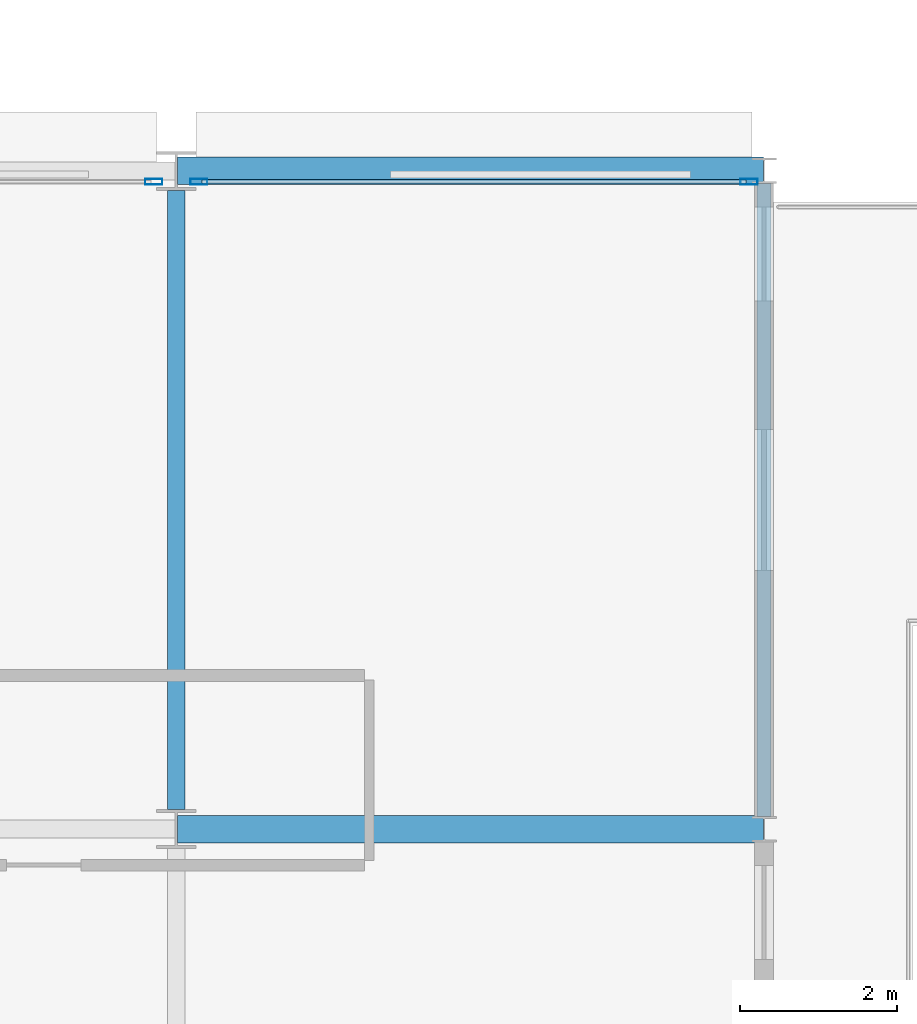
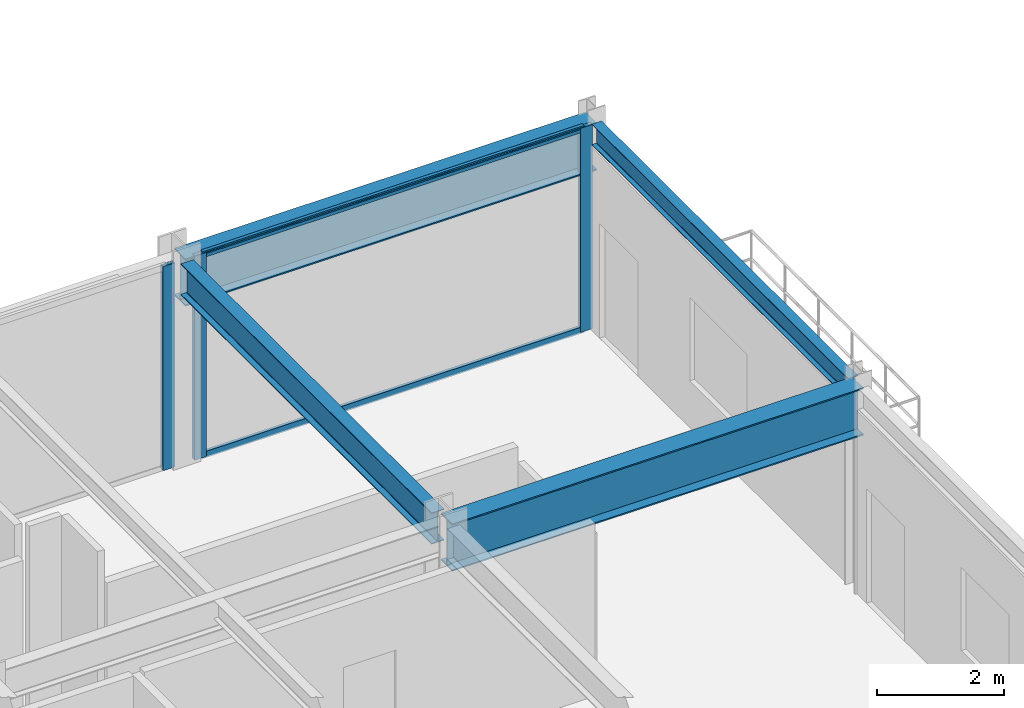
# One storey, part 15 of 27: 5 members, 4 beams, 2 elements without a shape of their own.
"""IFC4 building model written with IfcOpenShell, lengths in metres."""

from ifc_helpers import new_model, si_unit, direction, frame, origin, origin_2d, place, context, subcontext, project, spatial, hollow_rectangle, i_section, extrude, material, layer, layer_set, material_profile, profile_set, type_object, element, aggregate, save


model = new_model("IFC4")

# Units and contexts
model_context = context("Model", 3, precision=1e-05, world=origin(), true_north=direction((0.0, 1.0)))
body_context = subcontext(model_context, "Body", "Model", "MODEL_VIEW")
ifc_project = project(units=[si_unit("LENGTHUNIT", "METRE"), si_unit("AREAUNIT", "SQUARE_METRE"), si_unit("VOLUMEUNIT", "CUBIC_METRE"), si_unit("PLANEANGLEUNIT", "RADIAN"), si_unit("MASSUNIT", "GRAM", prefix="KILO")], contexts=[model_context])

# Site, building, storey
site_placement = place(None, origin())
site = spatial("IfcSite", under=ifc_project, at=site_placement, CompositionType="ELEMENT")
building_placement = place(site_placement, origin())
building = spatial("IfcBuilding", under=site, at=building_placement, Name="Nerrivon Quay Data Exchange", CompositionType="ELEMENT")
storey_placement = place(building_placement, frame((0.0, 0.0, 66.800048828125)))
storey = spatial("IfcBuildingStorey", under=building, at=storey_placement, Name="L15", CompositionType="ELEMENT", Elevation=66.800048828125)

# Beams
ifc_material_1 = material(Name="Steel Grade 350", Category="steel")
ifc_material_profile_1 = material_profile(ifc_material_1, i_section(OverallWidth=0.35009765625, OverallDepth=0.909912109375, WebThickness=0.011962890625, FlangeThickness=0.02490234375, at=origin_2d()), Name="900WB218")
ifc_profile_set_1 = profile_set([ifc_material_profile_1], Name="Steel Grade 350")
beam_type_1 = type_object("IfcBeamType", Name="BM-CANT-900WB", PredefinedType="USERDEFINED", material=ifc_profile_set_1)
for number, where, z_axis, x_axis, name in (
    (1, (50.4140625, 16.800048828125, 3.469970703125), (1.0, 0.0, 0.0), (0.0, 1.0, 0.0), "L15 East Hooked Cantilever Girder Y=16.8"),
    (2, (50.4140625, 25.199951171875, 3.469970703125), (1.0, 0.0, 0.0), (0.0, 1.0, 0.0), "L15 East Hooked Cantilever Girder Y=25.2"),
):
    element("IfcBeam", number, at=place(storey_placement, frame(where, z_axis=z_axis, x_axis=x_axis)), inside=storey, type_object=beam_type_1, Name=name, ObjectType="TRANSFER", PredefinedType="USERDEFINED", context=body_context, shape_type="SweptSolid", body=[
        extrude(i_section(OverallWidth=0.35009765625, OverallDepth=0.909912109375, WebThickness=0.011962890625, FlangeThickness=0.02490234375, at=origin_2d()), origin(), (0.0, 0.0, 1.0), 7.47802734375),
    ])
ifc_material_profile_2 = material_profile(ifc_material_1, i_section(OverallWidth=0.22802734375, OverallDepth=0.60205078125, WebThickness=0.010498046875, FlangeThickness=0.014892578125, FilletRadius=0.013916015625, at=origin_2d()), Name="610UB101")
ifc_profile_set_2 = profile_set([ifc_material_profile_2], Name="Steel Grade 350")
beam_type_2 = type_object("IfcBeamType", Name="BM-G2-610UB101", PredefinedType="BEAM", material=ifc_profile_set_2)
beam_1_placement = place(storey_placement, frame((50.39990234375, 17.050048828125, 3.6240234375), z_axis=(0.0, 1.0, 0.0), x_axis=(-1.0, 0.0, 0.0)))
element("IfcBeam", 3, at=beam_1_placement, inside=storey, type_object=beam_type_2, Name="L15 NS Girder X=50.4 (16.8..25.2)", PredefinedType="BEAM", context=body_context, shape_type="SweptSolid", body=[
    extrude(i_section(OverallWidth=0.22802734375, OverallDepth=0.60205078125, WebThickness=0.010498046875, FlangeThickness=0.014892578125, FilletRadius=0.013916015625, at=origin_2d()), origin(), (0.0, 0.0, 1.0), 7.89990234375),
])
ifc_material_profile_3 = material_profile(ifc_material_1, i_section(OverallWidth=0.177978515625, OverallDepth=0.403076171875, WebThickness=0.007568359375, FlangeThickness=0.010986328125, FilletRadius=0.011474609375, at=origin_2d()), Name="410UB53.7")
ifc_profile_set_3 = profile_set([ifc_material_profile_3], Name="Steel Grade 350")
beam_type_3 = type_object("IfcBeamType", Name="BM-SP2-410UB54", PredefinedType="SPANDREL", material=ifc_profile_set_3)
beam_2_placement = place(storey_placement, frame((57.89990234375, 16.96337890625, 3.723388671875), z_axis=(0.0, 1.0, 0.0), x_axis=(-1.0, 0.0, 0.0)))
element("IfcBeam", 4, at=beam_2_placement, inside=storey, type_object=beam_type_3, Name="L15 East Hooked Edge Spandrel", PredefinedType="SPANDREL", context=body_context, shape_type="SweptSolid", body=[
    extrude(i_section(OverallWidth=0.177978515625, OverallDepth=0.403076171875, WebThickness=0.007568359375, FlangeThickness=0.010986328125, FilletRadius=0.011474609375, at=origin_2d()), origin(), (0.0, 0.0, 1.0), 8.0732421875),
])

# Curtain wall, member
ifc_material_2 = material(Name="Anodised aluminium 6063-T6", Category="aluminium")
ifc_layer_1 = layer(ifc_material_2, 0.219970703125)
ifc_layer_set_1 = layer_set([ifc_layer_1], Name="Anodised aluminium 6063-T6")
curtain_wall_type_1 = type_object("IfcCurtainWallType", Name="CW-SYS-01", PredefinedType="NOTDEFINED", material=ifc_layer_set_1)
curtain_wall_1_placement = place(storey_placement, origin())
curtain_wall_1 = element("IfcCurtainWall", 5, at=curtain_wall_1_placement, inside=storey, type_object=curtain_wall_type_1, Name="L15 Unitised Curtain Wall 34", PredefinedType="NOTDEFINED")
ifc_material_profile_4 = material_profile(ifc_material_2, hollow_rectangle(XDim=0.074951171875, YDim=0.219970703125, WallThickness=0.00390625, at=origin_2d()), Name="ALU-MULL-220x75")
ifc_profile_set_4 = profile_set([ifc_material_profile_4], Name="Anodised aluminium 6063-T6")
member_type_1 = type_object("IfcMemberType", Name="CWM-220x75", PredefinedType="MULLION", material=ifc_profile_set_4)
member_1_placement = place(storey_placement, frame((50.112548828125, 25.06005859375, 0.0), z_axis=(0.0, 0.0, 1.0), x_axis=(0.0, 1.0, 0.0)))
member_1 = element("IfcMember", 6, at=member_1_placement, type_object=member_type_1, Name="CW01 mullion 2", PredefinedType="MULLION", context=body_context, shape_type="SweptSolid", body=[
    extrude(hollow_rectangle(XDim=0.074951171875, YDim=0.219970703125, WallThickness=0.00390625, at=origin_2d()), origin(), (0.0, 0.0, 1.0), 3.925048828125),
])
aggregate(curtain_wall_1, [member_1])

# Curtain wall, members
ifc_layer_2 = layer(ifc_material_2, 0.199951171875)
ifc_layer_set_2 = layer_set([ifc_layer_2], Name="Anodised aluminium 6063-T6")
curtain_wall_type_2 = type_object("IfcCurtainWallType", Name="CW-SYS-04", PredefinedType="NOTDEFINED", material=ifc_layer_set_2)
curtain_wall_2_placement = place(storey_placement, origin())
curtain_wall_2 = element("IfcCurtainWall", 7, at=curtain_wall_2_placement, inside=storey, type_object=curtain_wall_type_2, Name="L15 Unitised Curtain Wall 35", PredefinedType="NOTDEFINED")
member_2_placement = place(storey_placement, frame((50.6875, 25.06005859375, 0.0), z_axis=(0.0, 0.0, 1.0), x_axis=(0.0, 1.0, 0.0)))
member_2 = element("IfcMember", 8, at=member_2_placement, type_object=member_type_1, Name="CW04 mullion 1", PredefinedType="MULLION", context=body_context, shape_type="SweptSolid", body=[
    extrude(hollow_rectangle(XDim=0.074951171875, YDim=0.219970703125, WallThickness=0.00390625, at=origin_2d()), origin(), (0.0, 0.0, 1.0), 3.925048828125),
])
member_3_placement = place(storey_placement, frame((57.70703125, 25.06005859375, 0.0), z_axis=(0.0, 0.0, 1.0), x_axis=(0.0, 1.0, 0.0)))
member_3 = element("IfcMember", 9, at=member_3_placement, type_object=member_type_1, Name="CW04 mullion 2", PredefinedType="MULLION", context=body_context, shape_type="SweptSolid", body=[
    extrude(hollow_rectangle(XDim=0.074951171875, YDim=0.219970703125, WallThickness=0.00390625, at=origin_2d()), origin(), (0.0, 0.0, 1.0), 3.925048828125),
])
ifc_material_profile_5 = material_profile(ifc_material_2, hollow_rectangle(XDim=0.06005859375, YDim=0.1201171875, WallThickness=0.003173828125, at=origin_2d()), Name="ALU-TRAN-120x60")
ifc_profile_set_5 = profile_set([ifc_material_profile_5], Name="Anodised aluminium 6063-T6")
member_type_2 = type_object("IfcMemberType", Name="CWT-120x60", PredefinedType="USERDEFINED", material=ifc_profile_set_5)
member_4_placement = place(storey_placement, frame((50.72509765625, 25.06005859375, 0.032470703125), z_axis=(1.0, 0.0, 0.0), x_axis=(0.0, 1.0, 0.0)))
member_4 = element("IfcMember", 10, at=member_4_placement, type_object=member_type_2, Name="CW04 transom 1.1", ObjectType="TRANSOM", PredefinedType="USERDEFINED", context=body_context, shape_type="SweptSolid", body=[
    extrude(hollow_rectangle(XDim=0.06005859375, YDim=0.1201171875, WallThickness=0.003173828125, at=origin_2d()), origin(), (0.0, 0.0, 1.0), 6.9443359375),
])
member_5_placement = place(storey_placement, frame((50.72509765625, 25.06005859375, 3.892333984375), z_axis=(1.0, 0.0, 0.0), x_axis=(0.0, 1.0, 0.0)))
member_5 = element("IfcMember", 11, at=member_5_placement, type_object=member_type_2, Name="CW04 transom 1.2", ObjectType="TRANSOM", PredefinedType="USERDEFINED", context=body_context, shape_type="SweptSolid", body=[
    extrude(hollow_rectangle(XDim=0.06005859375, YDim=0.1201171875, WallThickness=0.003173828125, at=origin_2d()), origin(), (0.0, 0.0, 1.0), 6.9443359375),
])
aggregate(curtain_wall_2, [member_2, member_3, member_4, member_5])

save(model, "model.ifc")
